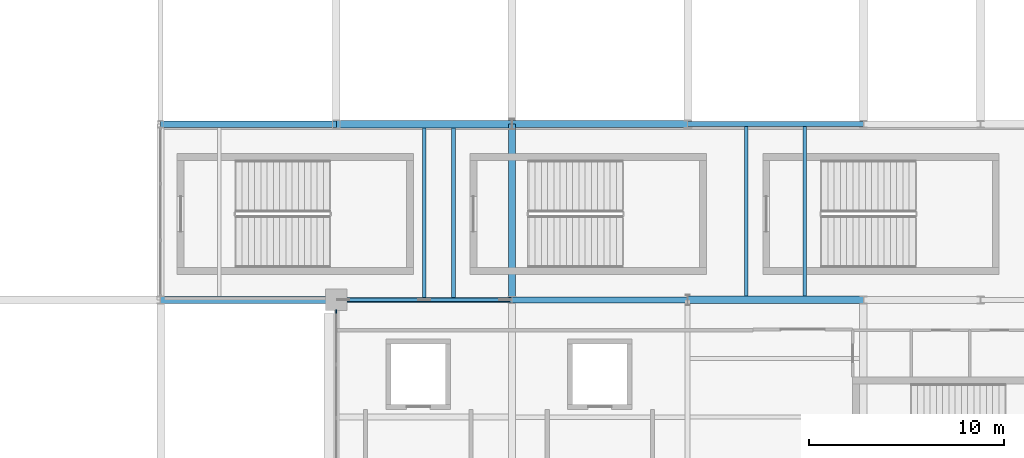
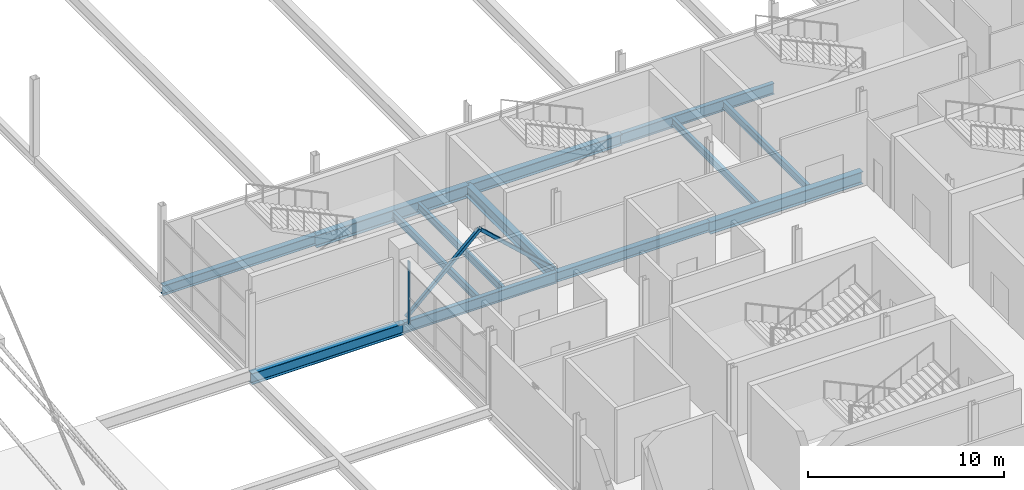
# One storey, part 151 of 224: 13 beams, 3 members, 1 element without a shape of its own.
"""IFC4 building model written with IfcOpenShell, lengths in metres."""

from ifc_helpers import new_model, si_unit, direction, frame, origin, origin_2d, place, context, subcontext, project, spatial, rectangle, hollow_rectangle, i_section, extrude, material, layer, layer_set, material_profile, profile_set, type_object, element, aggregate, save


model = new_model("IFC4")

# Units and contexts
model_context = context("Model", 3, precision=1e-05, world=origin(), true_north=direction((0.0, 1.0)))
body_context = subcontext(model_context, "Body", "Model", "MODEL_VIEW")
ifc_project = project(units=[si_unit("LENGTHUNIT", "METRE"), si_unit("AREAUNIT", "SQUARE_METRE"), si_unit("VOLUMEUNIT", "CUBIC_METRE"), si_unit("PLANEANGLEUNIT", "RADIAN"), si_unit("MASSUNIT", "GRAM", prefix="KILO")], contexts=[model_context])

# Site, building, storey
site_placement = place(None, origin())
site = spatial("IfcSite", under=ifc_project, at=site_placement, CompositionType="ELEMENT")
building_placement = place(site_placement, origin())
building = spatial("IfcBuilding", under=site, at=building_placement, Name="Qamarlyn Nura Convention Centre", CompositionType="ELEMENT")
storey_placement = place(building_placement, frame((0.0, 0.0, 10.800048828125)))
storey = spatial("IfcBuildingStorey", under=building, at=storey_placement, Name="L02", CompositionType="ELEMENT", Elevation=10.800048828125)

# Beams
ifc_material_1 = material(Name="Steel ASTM A992", Category="steel")
ifc_material_profile_1 = material_profile(ifc_material_1, i_section(OverallWidth=0.323974609375, OverallDepth=0.611083984375, WebThickness=0.0126953125, FlangeThickness=0.01904296875, FilletRadius=0.01611328125, at=origin_2d()), Name="W610X155")
ifc_profile_set_1 = profile_set([ifc_material_profile_1], Name="Steel ASTM A992")
beam_type_1 = type_object("IfcBeamType", Name="BM-GIRD-610", PredefinedType="BEAM", material=ifc_profile_set_1)
for number, where, z_axis, x_axis, name in (
    (1, (162.0, 81.0, -0.525634765625), (1.0, 0.0, 0.0), (0.0, 1.0, 0.0), "L02 girder K 14-15"),
    (2, (144.0, 90.0, -0.525634765625), (1.0, 0.0, 0.0), (0.0, 1.0, 0.0), "L02 girder L 12-13"),
):
    element("IfcBeam", number, at=place(storey_placement, frame(where, z_axis=z_axis, x_axis=x_axis)), inside=storey, type_object=beam_type_1, Name=name, PredefinedType="BEAM", context=body_context, shape_type="SweptSolid", body=[
        extrude(i_section(OverallWidth=0.323974609375, OverallDepth=0.611083984375, WebThickness=0.0126953125, FlangeThickness=0.01904296875, FilletRadius=0.01611328125, at=origin_2d()), origin(), (0.0, 0.0, 1.0), 9.0),
    ])
ifc_material_profile_2 = material_profile(ifc_material_1, i_section(OverallWidth=0.35498046875, OverallDepth=0.695068359375, WebThickness=0.015380859375, FlangeThickness=0.02490234375, FilletRadius=0.01806640625, at=origin_2d()), Name="W690X217")
ifc_profile_set_2 = profile_set([ifc_material_profile_2], Name="Steel ASTM A992")
beam_type_2 = type_object("IfcBeamType", Name="BM-GIRD-690A", PredefinedType="BEAM", material=ifc_profile_set_2)
for number, where, z_axis, x_axis, name in (
    (3, (144.0, 81.0, -0.567626953125), (1.0, 0.0, 0.0), (0.0, 1.0, 0.0), "L02 girder K 12-13"),
    (4, (162.0, 90.0, -0.567626953125), (1.0, 0.0, 0.0), (0.0, 1.0, 0.0), "L02 girder L 14-15"),
    (5, (162.0, 81.0, -0.567626953125), (0.0, 1.0, 0.0), (-1.0, 0.0, 0.0), "L02 girder 14 K-L"),
):
    element("IfcBeam", number, at=place(storey_placement, frame(where, z_axis=z_axis, x_axis=x_axis)), inside=storey, type_object=beam_type_2, Name=name, PredefinedType="BEAM", context=body_context, shape_type="SweptSolid", body=[
        extrude(i_section(OverallWidth=0.35498046875, OverallDepth=0.695068359375, WebThickness=0.015380859375, FlangeThickness=0.02490234375, FilletRadius=0.01806640625, at=origin_2d()), origin(), (0.0, 0.0, 1.0), 9.0),
    ])
ifc_material_profile_3 = material_profile(ifc_material_1, i_section(OverallWidth=0.25390625, OverallDepth=0.68408203125, WebThickness=0.012451171875, FlangeThickness=0.01904296875, FilletRadius=0.01806640625, at=origin_2d()), Name="W690X140")
ifc_profile_set_3 = profile_set([ifc_material_profile_3], Name="Steel ASTM A992")
beam_type_3 = type_object("IfcBeamType", Name="BM-GIRD-690B", PredefinedType="BEAM", material=ifc_profile_set_3)
for number, where, z_axis, x_axis, name in (
    (6, (153.0, 81.0, -0.56201171875), (1.0, 0.0, 0.0), (0.0, 1.0, 0.0), "L02 girder K 13-14"),
    (7, (171.0, 90.0, -0.56201171875), (1.0, 0.0, 0.0), (0.0, 1.0, 0.0), "L02 girder L 15-16"),
):
    element("IfcBeam", number, at=place(storey_placement, frame(where, z_axis=z_axis, x_axis=x_axis)), inside=storey, type_object=beam_type_3, Name=name, PredefinedType="BEAM", context=body_context, shape_type="SweptSolid", body=[
        extrude(i_section(OverallWidth=0.25390625, OverallDepth=0.68408203125, WebThickness=0.012451171875, FlangeThickness=0.01904296875, FilletRadius=0.01806640625, at=origin_2d()), origin(), (0.0, 0.0, 1.0), 9.0),
    ])
ifc_material_profile_4 = material_profile(ifc_material_1, i_section(OverallWidth=0.381103515625, OverallDepth=0.77294921875, WebThickness=0.0166015625, FlangeThickness=0.027587890625, FilletRadius=0.02001953125, at=origin_2d()), Name="W760X257")
ifc_profile_set_4 = profile_set([ifc_material_profile_4], Name="Steel ASTM A992")
beam_type_4 = type_object("IfcBeamType", Name="BM-GIRD-760", PredefinedType="BEAM", material=ifc_profile_set_4)
for number, where, z_axis, x_axis, name in (
    (8, (171.0, 81.0, -0.6064453125), (1.0, 0.0, 0.0), (0.0, 1.0, 0.0), "L02 girder K 15-16"),
    (9, (153.0, 90.0, -0.6064453125), (1.0, 0.0, 0.0), (0.0, 1.0, 0.0), "L02 girder L 13-14"),
):
    element("IfcBeam", number, at=place(storey_placement, frame(where, z_axis=z_axis, x_axis=x_axis)), inside=storey, type_object=beam_type_4, Name=name, PredefinedType="BEAM", context=body_context, shape_type="SweptSolid", body=[
        extrude(i_section(OverallWidth=0.381103515625, OverallDepth=0.77294921875, WebThickness=0.0166015625, FlangeThickness=0.027587890625, FilletRadius=0.02001953125, at=origin_2d()), origin(), (0.0, 0.0, 1.0), 9.0),
    ])
ifc_material_profile_5 = material_profile(ifc_material_1, i_section(OverallWidth=0.18994140625, OverallDepth=0.45703125, WebThickness=0.009033203125, FlangeThickness=0.014404296875, FilletRadius=0.012939453125, at=origin_2d()), Name="W460X74")
ifc_profile_set_5 = profile_set([ifc_material_profile_5], Name="Steel ASTM A992")
beam_type_5 = type_object("IfcBeamType", Name="BM-JOIST-460", PredefinedType="JOIST", material=ifc_profile_set_5)
for number, where, z_axis, x_axis, name in (
    (10, (159.0, 81.126953125, -0.448486328125), (0.0, 1.0, 0.0), (-1.0, 0.0, 0.0), "L02 secondary joist 13-14/K-L-09"),
    (11, (157.5, 81.126953125, -0.448486328125), (0.0, 1.0, 0.0), (-1.0, 0.0, 0.0), "L02 secondary joist 13-14/K-L-10"),
    (12, (174.0, 81.1904296875, -0.448486328125), (0.0, 1.0, 0.0), (-1.0, 0.0, 0.0), "L02 secondary joist 15-16/K-L-31"),
    (13, (177.0, 81.1904296875, -0.448486328125), (0.0, 1.0, 0.0), (-1.0, 0.0, 0.0), "L02 secondary joist 15-16/K-L-32"),
):
    element("IfcBeam", number, at=place(storey_placement, frame(where, z_axis=z_axis, x_axis=x_axis)), inside=storey, type_object=beam_type_5, Name=name, PredefinedType="JOIST", context=body_context, shape_type="SweptSolid", body=[
        extrude(i_section(OverallWidth=0.18994140625, OverallDepth=0.45703125, WebThickness=0.009033203125, FlangeThickness=0.014404296875, FilletRadius=0.012939453125, at=origin_2d()), origin(), (0.0, 0.0, 1.0), 8.6826171875),
    ])

# Members
ifc_material_2 = material(Name="Steel ASTM A500 Grade C", Category="steel")
ifc_material_profile_6 = material_profile(ifc_material_2, hollow_rectangle(XDim=0.199951171875, YDim=0.199951171875, WallThickness=0.010009765625, InnerFilletRadius=0.010009765625, OuterFilletRadius=0.02001953125, at=origin_2d()), Name="HSS200X200X10")
ifc_profile_set_6 = profile_set([ifc_material_profile_6], Name="Steel ASTM A500 Grade C")
member_type_1 = type_object("IfcMemberType", Name="CBF-BRC-200", PredefinedType="BRACE", material=ifc_profile_set_6)
for number, where, z_axis, x_axis, name in (
    (14, (153.179931640625, 81.0, 0.0), (0.734696783475, 0.0, 0.678395634089), (0.0, 1.0, 0.0), "L02 SCBF chevron brace CBF-N1L"),
    (15, (161.820068359375, 81.0, 0.0), (-0.734696783475, 0.0, 0.678395634089), (0.0, -1.0, 0.0), "L02 SCBF chevron brace CBF-N1R"),
):
    element("IfcMember", number, at=place(storey_placement, frame(where, z_axis=z_axis, x_axis=x_axis)), inside=storey, type_object=member_type_1, Name=name, PredefinedType="BRACE", context=body_context, shape_type="SweptSolid", body=[
        extrude(hollow_rectangle(XDim=0.199951171875, YDim=0.199951171875, WallThickness=0.010009765625, InnerFilletRadius=0.010009765625, OuterFilletRadius=0.02001953125, at=origin_2d()), origin(), (0.0, 0.0, 1.0), 5.880126953125),
    ])

# Curtain wall, member
ifc_material_3 = material(Name="Double-silver low-E insulated glass", Category="glass")
ifc_layer = layer(ifc_material_3, 0.179931640625, Name="CW-UNIT-100")
ifc_layer_set = layer_set([ifc_layer], Name="Double-silver low-E insulated glass")
curtain_wall_type = type_object("IfcCurtainWallType", Name="CW-UNIT-100", PredefinedType="NOTDEFINED", material=ifc_layer_set)
curtain_wall_placement = place(storey_placement, origin())
curtain_wall = element("IfcCurtainWall", 16, at=curtain_wall_placement, inside=storey, type_object=curtain_wall_type, Name="L02 unitised curtain wall CRT-72-1", PredefinedType="NOTDEFINED")
ifc_material_4 = material(Name="Champagne-anodised marine aluminium", Category="aluminium")
ifc_material_profile_7 = material_profile(ifc_material_4, rectangle(XDim=0.070068359375, YDim=0.179931640625, at=origin_2d()), Name="ALU MULLION 70x180")
ifc_profile_set_7 = profile_set([ifc_material_profile_7], Name="Champagne-anodised marine aluminium")
member_type_2 = type_object("IfcMemberType", Name="CWM-180", PredefinedType="MULLION", material=ifc_profile_set_7)
member_placement = place(storey_placement, frame((153.0, 80.4150390625, 0.0), z_axis=(0.0, 0.0, 1.0), x_axis=(-1.0, 0.0, 0.0)))
member = element("IfcMember", 17, at=member_placement, type_object=member_type_2, Name="CW100 mullion 4", PredefinedType="MULLION", context=body_context, shape_type="SweptSolid", body=[
    extrude(rectangle(XDim=0.070068359375, YDim=0.179931640625, at=origin_2d()), origin(), (0.0, 0.0, 1.0), 3.90087890625),
])
aggregate(curtain_wall, [member])

save(model, "model.ifc")
